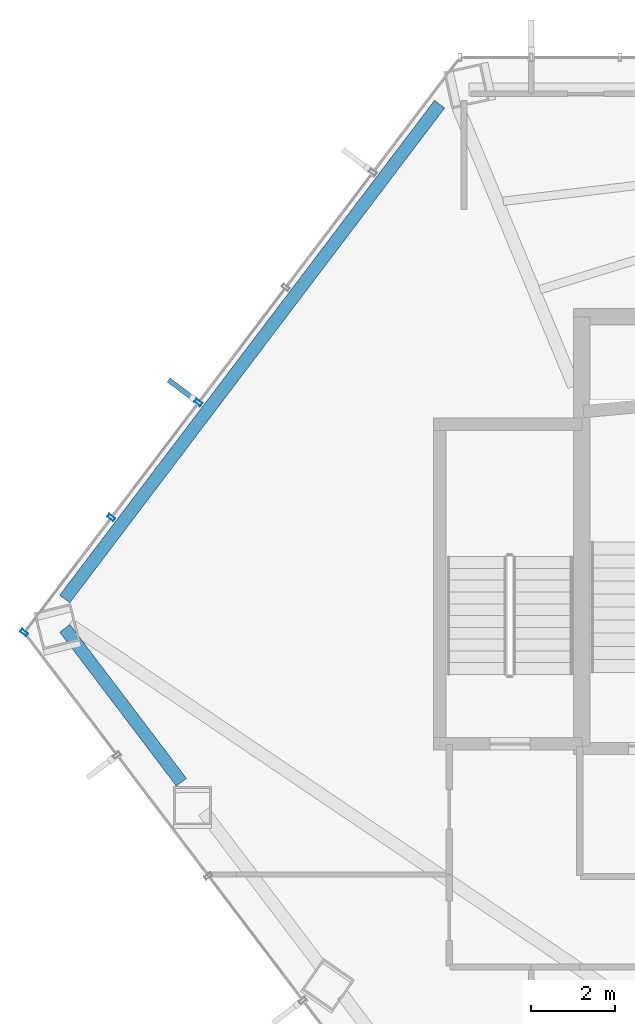
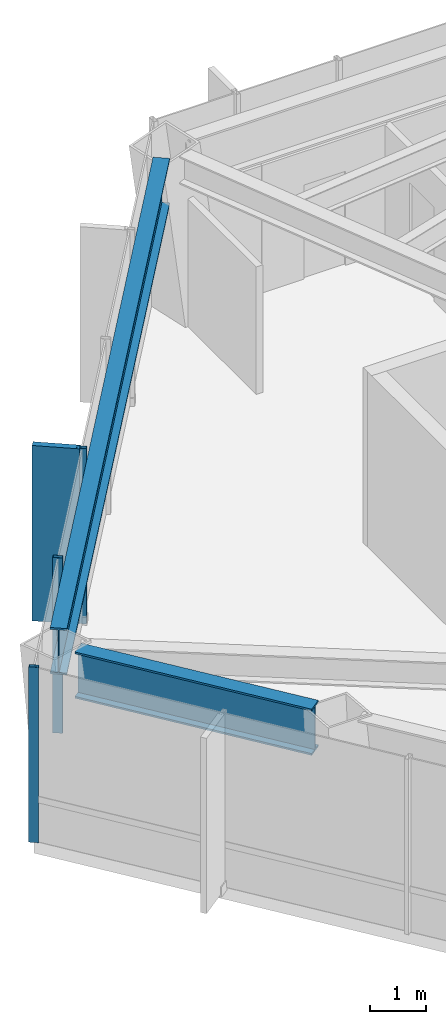
# One storey, part 10 of 26: 4 members, 2 beams, 1 element without a shape of its own.
"""IFC4 building model written with IfcOpenShell, lengths in metres."""

from ifc_helpers import new_model, si_unit, direction, frame, origin, origin_2d, place, context, subcontext, project, spatial, rectangle, hollow_rectangle, i_section, extrude, material, layer, layer_set, material_profile, profile_set, type_object, element, aggregate, save


model = new_model("IFC4")

# Units and contexts
model_context = context("Model", 3, precision=1e-05, world=origin(), true_north=direction((0.0, 1.0)))
body_context = subcontext(model_context, "Body", "Model", "MODEL_VIEW")
ifc_project = project(units=[si_unit("LENGTHUNIT", "METRE"), si_unit("AREAUNIT", "SQUARE_METRE"), si_unit("VOLUMEUNIT", "CUBIC_METRE"), si_unit("PLANEANGLEUNIT", "RADIAN"), si_unit("MASSUNIT", "GRAM", prefix="KILO")], contexts=[model_context])

# Site, building, storey
site_placement = place(None, origin())
site = spatial("IfcSite", under=ifc_project, at=site_placement, CompositionType="ELEMENT")
building_placement = place(site_placement, origin())
building = spatial("IfcBuilding", under=site, at=building_placement, Name="Zarrinselat Tower", CompositionType="ELEMENT")
storey_placement = place(building_placement, frame((0.0, 0.0, 92.820068359375)))
storey = spatial("IfcBuildingStorey", under=building, at=storey_placement, Name="L22", CompositionType="ELEMENT", Elevation=92.820068359375)

# Beams
ifc_material_1 = material(Name="Steel S460M", Category="steel")
ifc_material_profile_1 = material_profile(ifc_material_1, i_section(OverallWidth=0.302001953125, OverallDepth=1.008056640625, WebThickness=0.02099609375, FlangeThickness=0.0400390625, at=origin_2d()), Name="HEM 1000")
ifc_profile_set_1 = profile_set([ifc_material_profile_1], Name="Steel S460M")
beam_type = type_object("IfcBeamType", Name="BM-HEM1000", PredefinedType="BEAM", material=ifc_profile_set_1)
beam_1_placement = place(storey_placement, frame((16.31640625, 36.7451171875, 3.31591796875), z_axis=(0.603849401406, 0.797098425805, 0.0), x_axis=(-0.797098425805, 0.603849401406, 0.0)))
element("IfcBeam", 1, at=beam_1_placement, inside=storey, type_object=beam_type, Name="L22 Perimeter Spandrel Girder SP05", PredefinedType="BEAM", context=body_context, shape_type="SweptSolid", body=[
    extrude(i_section(OverallWidth=0.302001953125, OverallDepth=1.008056640625, WebThickness=0.02099609375, FlangeThickness=0.0400390625, at=origin_2d()), origin(), (0.0, 0.0, 1.0), 14.748291015625),
])
beam_2_placement = place(storey_placement, frame((16.31640625, 36.046875, 3.31591796875), z_axis=(0.603833098178, -0.797110776206, 0.0), x_axis=(0.797110776206, 0.603833098178, 0.0)))
element("IfcBeam", 2, at=beam_2_placement, inside=storey, type_object=beam_type, Name="L22 Perimeter Spandrel Girder SP06", PredefinedType="BEAM", context=body_context, shape_type="SweptSolid", body=[
    extrude(i_section(OverallWidth=0.302001953125, OverallDepth=1.008056640625, WebThickness=0.02099609375, FlangeThickness=0.0400390625, at=origin_2d()), origin(), (0.0, 0.0, 1.0), 4.587890625),
])

# Curtain wall, members
ifc_material_2 = material(Name="Extruded Aluminium Alloy EN AW-6063 T6", Category="aluminium")
ifc_layer = layer(ifc_material_2, 0.18505859375)
ifc_layer_set = layer_set([ifc_layer], Name="Extruded Aluminium Alloy EN AW-6063 T6")
curtain_wall_type = type_object("IfcCurtainWallType", Name="CWS-OFF", PredefinedType="NOTDEFINED", material=ifc_layer_set)
curtain_wall_placement = place(storey_placement, origin())
curtain_wall = element("IfcCurtainWall", 3, at=curtain_wall_placement, inside=storey, type_object=curtain_wall_type, Name="L22 Unitised Curtain Wall CW-L22-E02", PredefinedType="NOTDEFINED")
ifc_material_3 = material(Name="Extruded Aluminium Alloy EN AW-6063 T6", Category="aluminium")
ifc_material_profile_2 = material_profile(ifc_material_3, hollow_rectangle(XDim=0.080078125, YDim=0.179931640625, WallThickness=0.0048828125, at=origin_2d()), Name="RHS 180x80x5")
ifc_profile_set_2 = profile_set([ifc_material_profile_2], Name="Extruded Aluminium Alloy EN AW-6063 T6")
member_type_1 = type_object("IfcMemberType", Name="MEM-CW-MUL", PredefinedType="MULLION", material=ifc_profile_set_2)
member_1_placement = place(storey_placement, frame((19.490478515625, 41.4140625, 0.0), z_axis=(0.0, 0.0, 1.0), x_axis=(-0.603857014451, -0.797092658414, 0.0)))
member_1 = element("IfcMember", 4, at=member_1_placement, type_object=member_type_1, Name="CW-L22-E02 Mullion 3", PredefinedType="MULLION", context=body_context, shape_type="SweptSolid", body=[
    extrude(hollow_rectangle(XDim=0.080078125, YDim=0.179931640625, WallThickness=0.0048828125, at=origin_2d()), origin(), (0.0, 0.0, 1.0), 3.81982421875),
])
member_2_placement = place(storey_placement, frame((17.419189453125, 38.679931640625, 0.0), z_axis=(0.0, 0.0, 1.0), x_axis=(-0.603857014451, -0.797092658414, 0.0)))
member_2 = element("IfcMember", 5, at=member_2_placement, type_object=member_type_1, Name="CW-L22-E02 Mullion 4", PredefinedType="MULLION", context=body_context, shape_type="SweptSolid", body=[
    extrude(hollow_rectangle(XDim=0.080078125, YDim=0.179931640625, WallThickness=0.0048828125, at=origin_2d()), origin(), (0.0, 0.0, 1.0), 3.81982421875),
])
member_3_placement = place(storey_placement, frame((15.34765625, 35.94580078125, 0.0), z_axis=(0.0, 0.0, 1.0), x_axis=(-0.603857014451, -0.797092658414, 0.0)))
member_3 = element("IfcMember", 6, at=member_3_placement, type_object=member_type_1, Name="CW-L22-E02 Mullion 5", PredefinedType="MULLION", context=body_context, shape_type="SweptSolid", body=[
    extrude(hollow_rectangle(XDim=0.080078125, YDim=0.179931640625, WallThickness=0.0048828125, at=origin_2d()), origin(), (0.0, 0.0, 1.0), 3.81982421875),
])
ifc_material_4 = material(Name="Honed Cream Travertine Stone", Category="masonry")
ifc_material_profile_3 = material_profile(ifc_material_4, rectangle(XDim=0.1201171875, YDim=0.85009765625, at=origin_2d()), Name="FIN 850x120")
ifc_profile_set_3 = profile_set([ifc_material_profile_3], Name="Honed Cream Travertine Stone")
member_type_2 = type_object("IfcMemberType", Name="MEM-STONE-FIN", PredefinedType="USERDEFINED", material=ifc_profile_set_3)
member_4_placement = place(storey_placement, frame((19.123779296875, 41.69189453125, 0.0), z_axis=(0.0, 0.0, 1.0), x_axis=(0.603857014451, 0.797092658414, 0.0)))
member_4 = element("IfcMember", 7, at=member_4_placement, type_object=member_type_2, Name="L22 Stone Shading Fin CW-L22-E02-03", ObjectType="FIN", PredefinedType="USERDEFINED", context=body_context, shape_type="SweptSolid", body=[
    extrude(rectangle(XDim=0.1201171875, YDim=0.85009765625, at=origin_2d()), origin(), (0.0, 0.0, 1.0), 3.81982421875),
])
aggregate(curtain_wall, [member_1, member_4, member_2, member_3])

save(model, "model.ifc")
